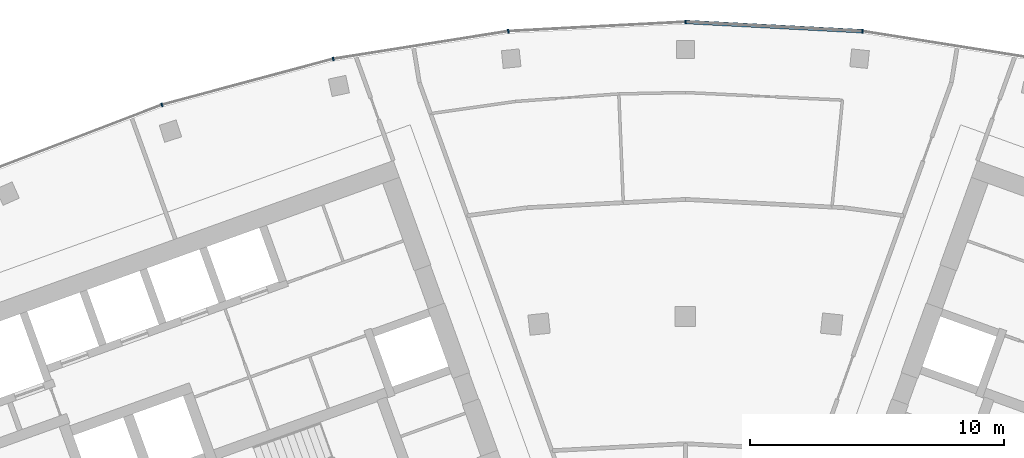
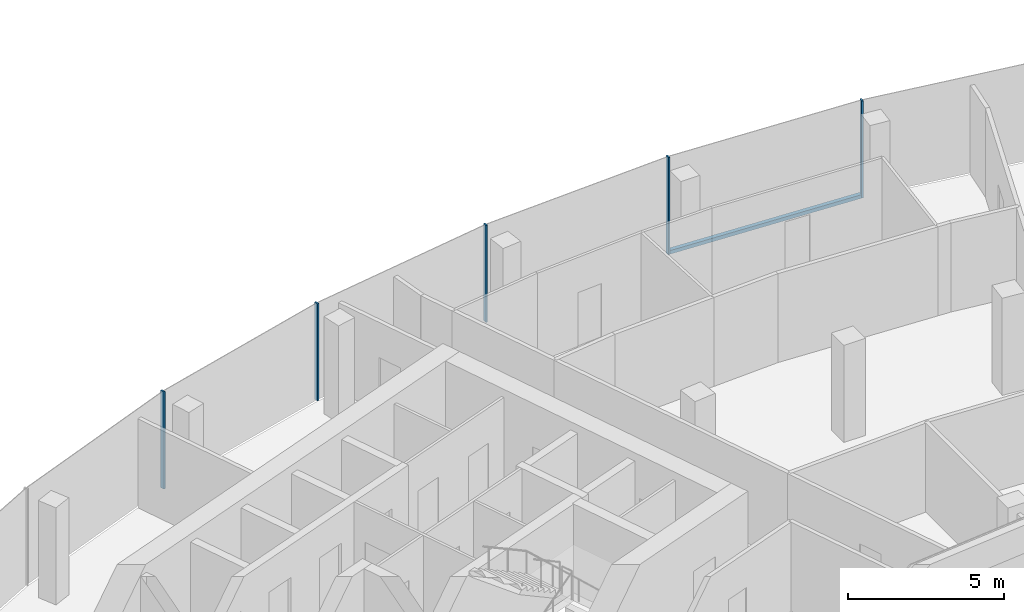
# One storey, part 6 of 18: 6 members, 1 element without a shape of its own.
"""IFC4 building model written with IfcOpenShell, lengths in metres."""

from ifc_helpers import new_model, si_unit, direction, frame, origin, origin_2d, place, context, subcontext, project, spatial, rectangle, extrude, material, layer, layer_set, material_profile, profile_set, type_object, element, aggregate, save


model = new_model("IFC4")

# Units and contexts
model_context = context("Model", 3, precision=1e-05, world=origin(), true_north=direction((0.0, 1.0)))
body_context = subcontext(model_context, "Body", "Model", "MODEL_VIEW")
ifc_project = project(units=[si_unit("LENGTHUNIT", "METRE"), si_unit("AREAUNIT", "SQUARE_METRE"), si_unit("VOLUMEUNIT", "CUBIC_METRE"), si_unit("PLANEANGLEUNIT", "RADIAN"), si_unit("MASSUNIT", "GRAM", prefix="KILO")], contexts=[model_context])

# Site, building, storey
site_placement = place(None, origin())
site = spatial("IfcSite", under=ifc_project, at=site_placement, CompositionType="ELEMENT")
building_placement = place(site_placement, origin())
building = spatial("IfcBuilding", under=site, at=building_placement, Name="Stone Belt Terrace Tower", CompositionType="ELEMENT")
storey_placement = place(building_placement, frame((0.0, 0.0, 265.60009765625)))
storey = spatial("IfcBuildingStorey", under=building, at=storey_placement, Name="L64", CompositionType="ELEMENT", Elevation=265.60009765625)

# Curtain wall, members
ifc_material = material(Name="Aluminium 6063-T6 anodised frame", Category="aluminium")
ifc_layer = layer(ifc_material, 0.14990234375)
ifc_layer_set = layer_set([ifc_layer], Name="CW-A unitised convex-face curtain wall")
curtain_wall_type = type_object("IfcCurtainWallType", Name="CW-A unitised convex-face curtain wall", PredefinedType="NOTDEFINED", material=ifc_layer_set)
curtain_wall_placement = place(storey_placement, origin())
curtain_wall = element("IfcCurtainWall", 1, at=curtain_wall_placement, inside=storey, type_object=curtain_wall_type, Name="CW-A convex face L64", PredefinedType="NOTDEFINED")
ifc_material_profile_1 = material_profile(ifc_material, rectangle(XDim=0.14990234375, YDim=0.06005859375, at=origin_2d()), Name="Aluminium 6063-T6 60x150")
ifc_profile_set_1 = profile_set([ifc_material_profile_1], Name="Aluminium 6063-T6 anodised frame")
member_type_1 = type_object("IfcMemberType", Name="CW-A mullion 60 x 150", PredefinedType="MULLION", material=ifc_profile_set_1)
member_1_placement = place(storey_placement, frame((6.958984375, 66.21044921875, 0.0), z_axis=(0.0, 0.0, 1.0), x_axis=(-0.104528463268, -0.994521895368, 0.0)))
member_1 = element("IfcMember", 2, at=member_1_placement, type_object=member_type_1, Name="CW-A mullion 7", PredefinedType="MULLION", context=body_context, shape_type="SweptSolid", body=[
    extrude(rectangle(XDim=0.14990234375, YDim=0.06005859375, at=origin_2d()), origin(), (0.0, 0.0, 1.0), 3.7998046875),
])
member_2_placement = place(storey_placement, frame((0.0, 66.5751953125, 0.0), z_axis=(0.0, 0.0, 1.0), x_axis=(0.0, -1.0, 0.0)))
member_2 = element("IfcMember", 3, at=member_2_placement, type_object=member_type_1, Name="CW-A mullion 8", PredefinedType="MULLION", context=body_context, shape_type="SweptSolid", body=[
    extrude(rectangle(XDim=0.14990234375, YDim=0.06005859375, at=origin_2d()), origin(), (0.0, 0.0, 1.0), 3.7998046875),
])
member_3_placement = place(storey_placement, frame((-6.958984375, 66.21044921875, 0.0), z_axis=(0.0, 0.0, 1.0), x_axis=(0.104528463268, -0.994521895368, 0.0)))
member_3 = element("IfcMember", 4, at=member_3_placement, type_object=member_type_1, Name="CW-A mullion 9", PredefinedType="MULLION", context=body_context, shape_type="SweptSolid", body=[
    extrude(rectangle(XDim=0.14990234375, YDim=0.06005859375, at=origin_2d()), origin(), (0.0, 0.0, 1.0), 3.7998046875),
])
member_4_placement = place(storey_placement, frame((-13.841796875, 65.120361328125, 0.0), z_axis=(0.0, 0.0, 1.0), x_axis=(0.207911690818, -0.978147600734, 0.0)))
member_4 = element("IfcMember", 5, at=member_4_placement, type_object=member_type_1, Name="CW-A mullion 10", PredefinedType="MULLION", context=body_context, shape_type="SweptSolid", body=[
    extrude(rectangle(XDim=0.14990234375, YDim=0.06005859375, at=origin_2d()), origin(), (0.0, 0.0, 1.0), 3.7998046875),
])
member_5_placement = place(storey_placement, frame((-20.57275390625, 63.316650390625, 0.0), z_axis=(0.0, 0.0, 1.0), x_axis=(0.309016994375, -0.951056516295, 0.0)))
member_5 = element("IfcMember", 6, at=member_5_placement, type_object=member_type_1, Name="CW-A mullion 11", PredefinedType="MULLION", context=body_context, shape_type="SweptSolid", body=[
    extrude(rectangle(XDim=0.14990234375, YDim=0.06005859375, at=origin_2d()), origin(), (0.0, 0.0, 1.0), 3.7998046875),
])
ifc_material_profile_2 = material_profile(ifc_material, rectangle(XDim=0.14990234375, YDim=0.139892578125, at=origin_2d()), Name="Aluminium 6063-T6 150x140")
ifc_profile_set_2 = profile_set([ifc_material_profile_2], Name="Aluminium 6063-T6 anodised frame")
member_type_2 = type_object("IfcMemberType", Name="CW-A transom 140 x 150", PredefinedType="USERDEFINED", material=ifc_profile_set_2)
member_6_placement = place(storey_placement, frame((6.925048828125, 66.212158203125, 0.06982421875), z_axis=(-0.998630019135, 0.052326712899, 0.0), x_axis=(-0.052326712899, -0.998630019135, 0.0)))
member_6 = element("IfcMember", 7, at=member_6_placement, type_object=member_type_2, Name="CW-A transom 7.1", ObjectType="TRANSOM", PredefinedType="USERDEFINED", context=body_context, shape_type="SweptSolid", body=[
    extrude(rectangle(XDim=0.14990234375, YDim=0.139892578125, at=origin_2d()), origin(), (0.0, 0.0, 1.0), 6.900634765625),
])
aggregate(curtain_wall, [member_1, member_2, member_3, member_4, member_5, member_6])

save(model, "model.ifc")
